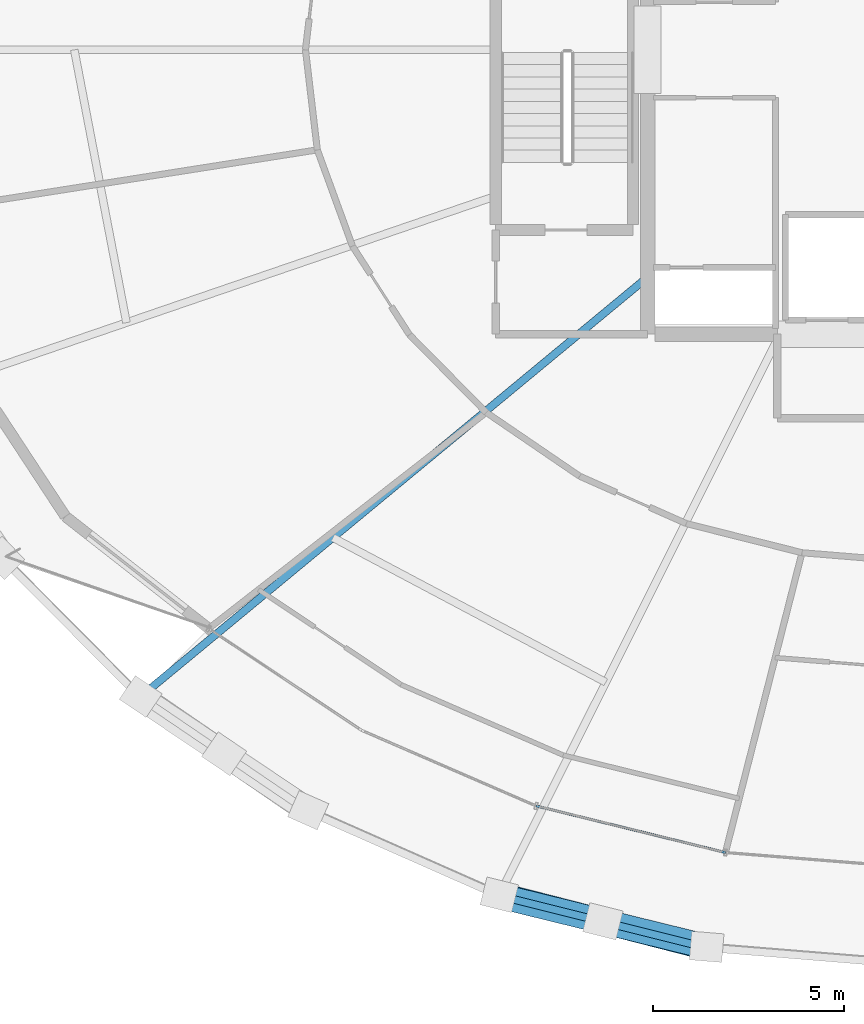
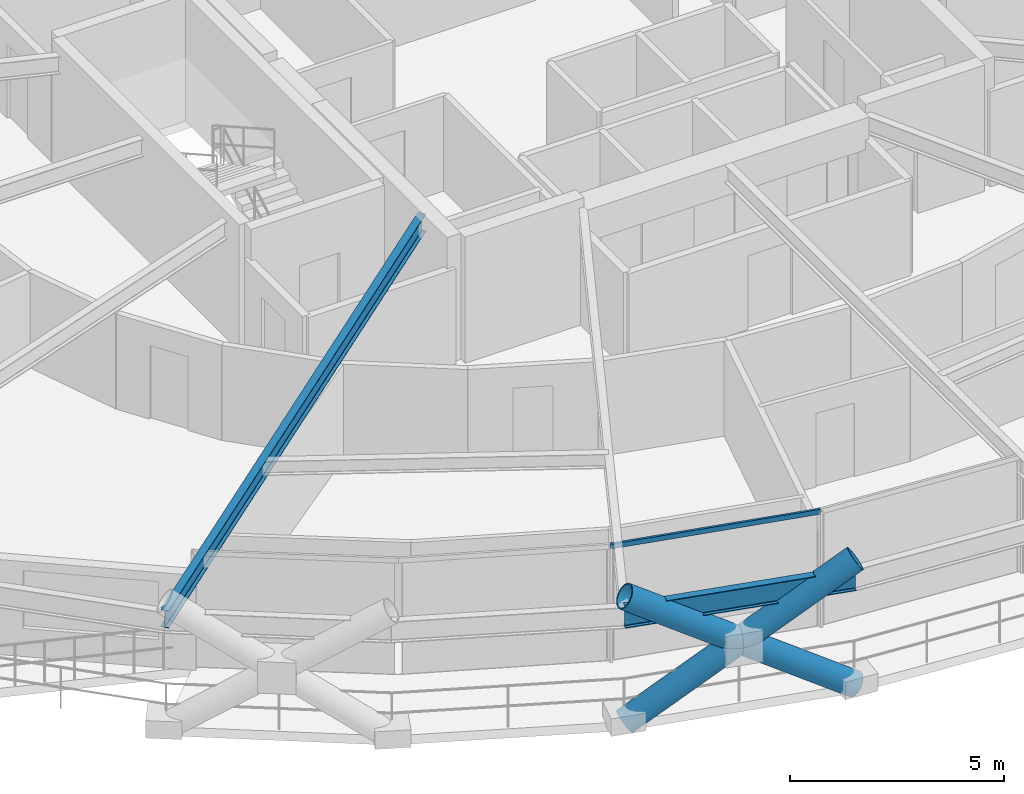
# One storey, part 3 of 21: 4 members, 2 beams, 1 element without a shape of its own.
"""IFC4 building model written with IfcOpenShell, lengths in metres."""

from ifc_helpers import new_model, si_unit, direction, frame, origin, origin_2d, place, context, subcontext, project, spatial, hollow_rectangle, hollow_circle, i_section, extrude, material, layer, layer_set, material_profile, profile_set, type_object, element, aggregate, save


model = new_model("IFC4")

# Units and contexts
model_context = context("Model", 3, precision=1e-05, world=origin(), true_north=direction((0.0, 1.0)))
body_context = subcontext(model_context, "Body", "Model", "MODEL_VIEW")
ifc_project = project(units=[si_unit("LENGTHUNIT", "METRE"), si_unit("AREAUNIT", "SQUARE_METRE"), si_unit("VOLUMEUNIT", "CUBIC_METRE"), si_unit("PLANEANGLEUNIT", "RADIAN"), si_unit("MASSUNIT", "GRAM", prefix="KILO")], contexts=[model_context])

# Site, building, storey
site_placement = place(None, origin())
site = spatial("IfcSite", under=ifc_project, at=site_placement, CompositionType="ELEMENT")
building_placement = place(site_placement, origin())
building = spatial("IfcBuilding", under=site, at=building_placement, Name="Veldorina Hangang Commons", CompositionType="ELEMENT")
storey_placement = place(building_placement, frame((0.0, 0.0, 73.60009765625)))
storey = spatial("IfcBuildingStorey", under=building, at=storey_placement, Name="L18", CompositionType="ELEMENT", Elevation=73.60009765625)

# Beams
ifc_material_1 = material(Name="Steel SM420-TMC", Category="steel")
ifc_material_profile_1 = material_profile(ifc_material_1, i_section(OverallWidth=0.199951171875, OverallDepth=0.5, WebThickness=0.010009765625, FlangeThickness=0.01611328125, FilletRadius=0.01611328125, at=origin_2d()), Name="H-500x200x10x16")
ifc_profile_set_1 = profile_set([ifc_material_profile_1], Name="Steel SM420-TMC")
beam_type_1 = type_object("IfcBeamType", Name="BM-FG500", PredefinedType="BEAM", material=ifc_profile_set_1)
beam_1_placement = place(storey_placement, frame((24.800048828125, 18.0419921875, 3.08984375), z_axis=(-0.770429061473, -0.637525733785, 0.0), x_axis=(0.637525733785, -0.770429061473, 0.0)))
element("IfcBeam", 1, at=beam_1_placement, inside=storey, type_object=beam_type_1, Name="L18 radial floor girder 11", PredefinedType="BEAM", context=body_context, shape_type="SweptSolid", body=[
    extrude(i_section(OverallWidth=0.199951171875, OverallDepth=0.5, WebThickness=0.010009765625, FlangeThickness=0.01611328125, FilletRadius=0.01611328125, at=origin_2d()), origin(), (0.0, 0.0, 1.0), 17.25830078125),
])
ifc_material_profile_2 = material_profile(ifc_material_1, i_section(OverallWidth=0.199951171875, OverallDepth=0.60009765625, WebThickness=0.010986328125, FlangeThickness=0.01708984375, FilletRadius=0.01806640625, at=origin_2d()), Name="H-600x200x11x17")
ifc_profile_set_2 = profile_set([ifc_material_profile_2], Name="Steel SM420-TMC")
beam_type_2 = type_object("IfcBeamType", Name="BM-RB600", PredefinedType="BEAM", material=ifc_profile_set_2)
beam_2_placement = place(storey_placement, frame((20.907470703125, 1.839599609375, 3.039794921875), z_axis=(0.969908950764, -0.243467918274, 0.0), x_axis=(0.243467918274, 0.969908950764, 0.0)))
element("IfcBeam", 2, at=beam_2_placement, inside=storey, type_object=beam_type_2, Name="L18 perimeter hoop ring beam 22", PredefinedType="BEAM", context=body_context, shape_type="SweptSolid", body=[
    extrude(i_section(OverallWidth=0.199951171875, OverallDepth=0.60009765625, WebThickness=0.010986328125, FlangeThickness=0.01708984375, FilletRadius=0.01806640625, at=origin_2d()), origin(), (0.0, 0.0, 1.0), 5.6064453125),
])

# Curtain wall, member
ifc_material_2 = material(Name="Glass Low-E Triple IGU", Category="glass")
ifc_layer = layer(ifc_material_2, 0.179931640625)
ifc_layer_set = layer_set([ifc_layer], Name="Glass Low-E Triple IGU")
curtain_wall_type = type_object("IfcCurtainWallType", Name="CW-SYS-Z1", PredefinedType="NOTDEFINED", material=ifc_layer_set)
curtain_wall_placement = place(storey_placement, origin())
curtain_wall = element("IfcCurtainWall", 3, at=curtain_wall_placement, inside=storey, type_object=curtain_wall_type, Name="L18 unitised curtain wall CW-L18-R1", PredefinedType="NOTDEFINED")
ifc_material_3 = material(Name="Aluminium Anodized AA6063-T6", Category="aluminium")
ifc_material_profile_3 = material_profile(ifc_material_3, hollow_rectangle(XDim=0.06005859375, YDim=0.139892578125, WallThickness=0.00341796875, at=origin_2d()), Name="ALU-RHS-140x60x3.5")
ifc_profile_set_3 = profile_set([ifc_material_profile_3], Name="Aluminium Anodized AA6063-T6")
member_type_1 = type_object("IfcMemberType", Name="CW-TRN-140", PredefinedType="USERDEFINED", material=ifc_profile_set_3)
member_1_placement = place(storey_placement, frame((21.880859375, 4.189697265625, 3.260009765625), z_axis=(0.9710520689, -0.238867912214, 0.0), x_axis=(0.238867912214, 0.9710520689, 0.0)))
member_1 = element("IfcMember", 4, at=member_1_placement, type_object=member_type_1, Name="CW-L18-R1 facet 3 transom 1", ObjectType="TRANSOM", PredefinedType="USERDEFINED", context=body_context, shape_type="SweptSolid", body=[
    extrude(hollow_rectangle(XDim=0.06005859375, YDim=0.139892578125, WallThickness=0.00341796875, at=origin_2d()), origin(), (0.0, 0.0, 1.0), 5.1083984375),
])
aggregate(curtain_wall, [member_1])

# Members
ifc_material_4 = material(Name="Steel SM460-TMC", Category="steel")
ifc_material_profile_4 = material_profile(ifc_material_4, hollow_circle(Radius=0.324951171875, WallThickness=0.031982421875, at=origin_2d()), Name="CHS-650x32")
ifc_profile_set_4 = profile_set([ifc_material_profile_4], Name="Steel SM460-TMC")
member_type_2 = type_object("IfcMemberType", Name="DG-CHS650", PredefinedType="BRACE", material=ifc_profile_set_4)
member_2_placement = place(storey_placement, frame((20.91650390625, 1.861572265625, 0.0), z_axis=(0.814985770488, -0.208878594829, 0.540525602098), x_axis=(0.248272614908, 0.968690202638, 0.0)))
element("IfcMember", 5, at=member_2_placement, inside=storey, type_object=member_type_2, Name="L18 continuous perimeter diagrid brace 22", PredefinedType="BRACE", context=body_context, shape_type="SweptSolid", body=[
    extrude(hollow_circle(Radius=0.324951171875, WallThickness=0.031982421875, at=origin_2d()), origin(), (0.0, 0.0, 1.0), 6.659912109375),
])
member_3_placement = place(storey_placement, frame((26.349609375, 0.498046875, 0.0), z_axis=(-0.817132755302, 0.200708278853, 0.540379724834), x_axis=(-0.23853482922, -0.971133943001, 0.0)))
element("IfcMember", 6, at=member_3_placement, inside=storey, type_object=member_type_2, Name="L18 split perimeter diagrid lower brace 23", PredefinedType="BRACE", context=body_context, shape_type="SweptSolid", body=[
    extrude(hollow_circle(Radius=0.324951171875, WallThickness=0.031982421875, at=origin_2d()), origin(), (0.0, 0.0, 1.0), 3.329345703125),
])
member_4_placement = place(storey_placement, frame((23.629150390625, 1.166259765625, 1.799072265625), z_axis=(-0.817138353036, 0.20086000574, 0.540314880502), x_axis=(-0.238703338211, -0.971092537469, 0.0)))
element("IfcMember", 7, at=member_4_placement, inside=storey, type_object=member_type_2, Name="L18 split perimeter diagrid upper brace 23", PredefinedType="BRACE", context=body_context, shape_type="SweptSolid", body=[
    extrude(hollow_circle(Radius=0.324951171875, WallThickness=0.031982421875, at=origin_2d()), origin(), (0.0, 0.0, 1.0), 3.332763671875),
])

save(model, "model.ifc")
